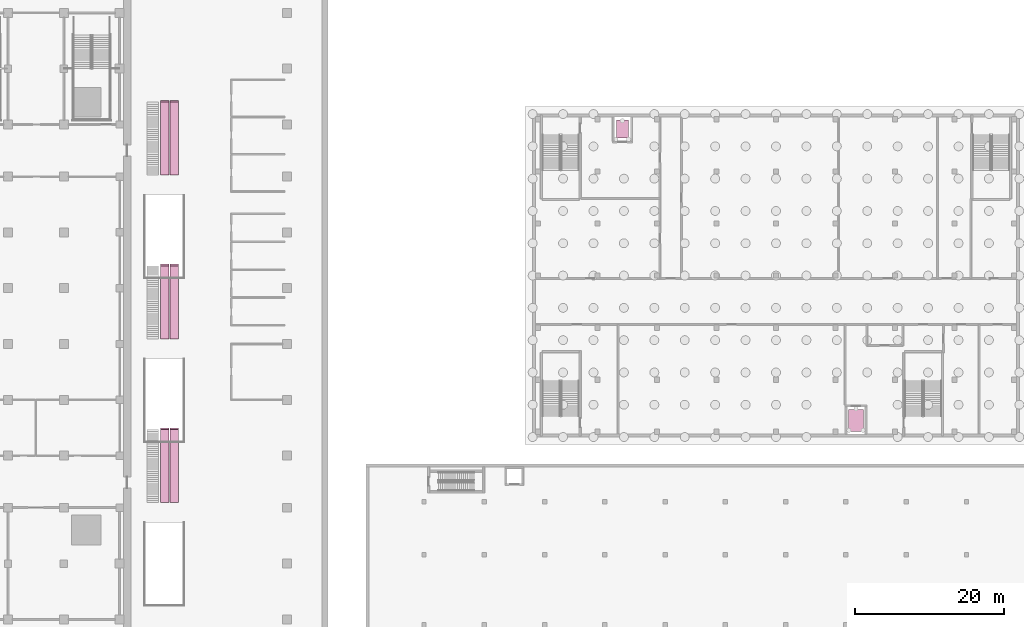
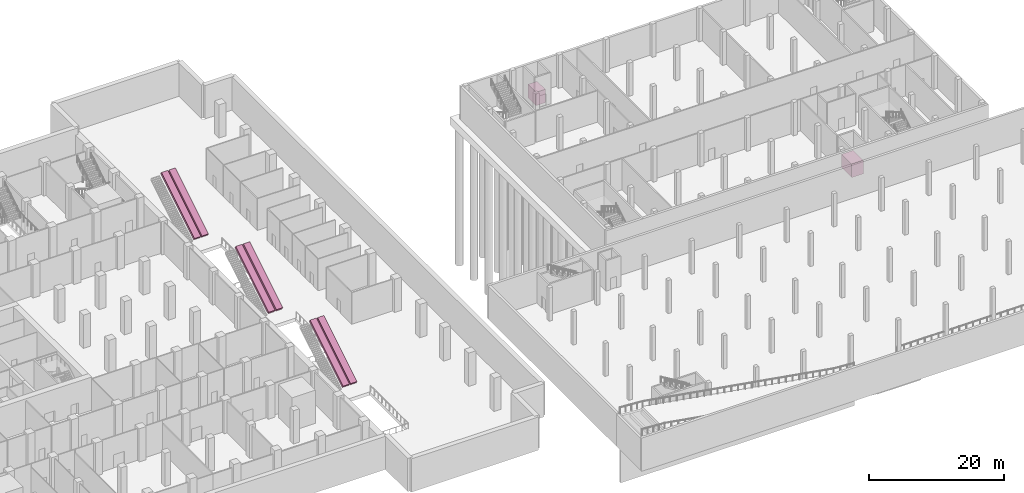
# One storey, part 45 of 45: 8 transport elements.
"""IFC4 building model written with IfcOpenShell, lengths in metres."""

from ifc_helpers import new_model, si_unit, direction, frame, origin, origin_2d, place, context, subcontext, project, spatial, polyline, rectangle, outline, extrude, material, type_object, element, save


model = new_model("IFC4")

# Units and contexts
model_context = context("Model", 3, precision=1e-05, world=origin(), true_north=direction((0.0, 1.0)))
body_context = subcontext(model_context, "Body", "Model", "MODEL_VIEW")
ifc_project = project(units=[si_unit("LENGTHUNIT", "METRE"), si_unit("AREAUNIT", "SQUARE_METRE"), si_unit("VOLUMEUNIT", "CUBIC_METRE"), si_unit("PLANEANGLEUNIT", "RADIAN"), si_unit("MASSUNIT", "GRAM", prefix="KILO")], contexts=[model_context])

# Site, building, storey
site_placement = place(None, origin())
site = spatial("IfcSite", under=ifc_project, at=site_placement, CompositionType="ELEMENT")
building_placement = place(site_placement, origin())
building = spatial("IfcBuilding", under=site, at=building_placement, Name="Tamorin Gate", CompositionType="ELEMENT")
storey_placement = place(building_placement, frame((0.0, 0.0, -6.0)))
storey = spatial("IfcBuildingStorey", under=building, at=storey_placement, Name="B1", CompositionType="ELEMENT", Elevation=-6.0)

# Transport elements
ifc_material_1 = material(Name="Steel", Category="steel")
transport_element_type_1 = type_object("IfcTransportElementType", Name="Escalator 1000", PredefinedType="ESCALATOR", material=ifc_material_1)
transport_element_1_placement = place(storey_placement, frame((95.0, 46.199951171875, 0.449951171875), z_axis=(0.0, -0.522151967348, 0.852852462619), x_axis=(1.0, 0.0, 0.0)))
element("IfcTransportElement", 1, at=transport_element_1_placement, inside=storey, type_object=transport_element_type_1, Name="Escalator A11", PredefinedType="ESCALATOR", context=body_context, shape_type="SweptSolid", body=[
    extrude(outline(polyline([(0.0, 0.0), (1.10009765625, 0.0), (1.10009765625, 11.490907580936948), (0.0, 11.490907580936948), (0.0, 0.0)])), origin(), (0.0, 0.0, -1.0), 0.449951171875),
])
transport_element_2_placement = place(storey_placement, frame((96.300048828125, 46.199951171875, 0.449951171875), z_axis=(0.0, -0.522151967348, 0.852852462619), x_axis=(1.0, 0.0, 0.0)))
element("IfcTransportElement", 2, at=transport_element_2_placement, inside=storey, type_object=transport_element_type_1, Name="Escalator A12", PredefinedType="ESCALATOR", context=body_context, shape_type="SweptSolid", body=[
    extrude(outline(polyline([(0.0, 0.0), (1.099853515625, 0.0), (1.099853515625, 11.490907580936945), (0.0, 11.490907580936945), (0.0, 0.0)])), origin(), (0.0, 0.0, -1.0), 0.449951171875),
])
transport_element_3_placement = place(storey_placement, frame((95.0, 68.199951171875, 0.449951171875), z_axis=(0.0, -0.522151967348, 0.852852462619), x_axis=(1.0, 0.0, 0.0)))
element("IfcTransportElement", 3, at=transport_element_3_placement, inside=storey, type_object=transport_element_type_1, Name="Escalator A21", PredefinedType="ESCALATOR", context=body_context, shape_type="SweptSolid", body=[
    extrude(outline(polyline([(0.0, 0.0), (1.10009765625, 0.0), (1.10009765625, 11.490907580936948), (0.0, 11.490907580936948), (0.0, 0.0)])), origin(), (0.0, 0.0, -1.0), 0.449951171875),
])
transport_element_4_placement = place(storey_placement, frame((96.300048828125, 68.199951171875, 0.449951171875), z_axis=(0.0, -0.522151967348, 0.852852462619), x_axis=(1.0, 0.0, 0.0)))
element("IfcTransportElement", 4, at=transport_element_4_placement, inside=storey, type_object=transport_element_type_1, Name="Escalator A22", PredefinedType="ESCALATOR", context=body_context, shape_type="SweptSolid", body=[
    extrude(outline(polyline([(0.0, 0.0), (1.099853515625, 0.0), (1.099853515625, 11.490907580936945), (0.0, 11.490907580936945), (0.0, 0.0)])), origin(), (0.0, 0.0, -1.0), 0.449951171875),
])
transport_element_5_placement = place(storey_placement, frame((95.0, 90.199951171875, 0.449951171875), z_axis=(0.0, -0.522151967348, 0.852852462619), x_axis=(1.0, 0.0, 0.0)))
element("IfcTransportElement", 5, at=transport_element_5_placement, inside=storey, type_object=transport_element_type_1, Name="Escalator A31", PredefinedType="ESCALATOR", context=body_context, shape_type="SweptSolid", body=[
    extrude(outline(polyline([(0.0, 0.0), (1.10009765625, 0.0), (1.10009765625, 11.490907580936948), (0.0, 11.490907580936948), (0.0, 0.0)])), origin(), (0.0, 0.0, -1.0), 0.449951171875),
])
transport_element_6_placement = place(storey_placement, frame((96.300048828125, 90.199951171875, 0.449951171875), z_axis=(0.0, -0.522151967348, 0.852852462619), x_axis=(1.0, 0.0, 0.0)))
element("IfcTransportElement", 6, at=transport_element_6_placement, inside=storey, type_object=transport_element_type_1, Name="Escalator A32", PredefinedType="ESCALATOR", context=body_context, shape_type="SweptSolid", body=[
    extrude(outline(polyline([(0.0, 0.0), (1.099853515625, 0.0), (1.099853515625, 11.490907580936945), (0.0, 11.490907580936945), (0.0, 0.0)])), origin(), (0.0, 0.0, -1.0), 0.449951171875),
])
ifc_material_2 = material(Name="Stainless steel", Category="steel")
transport_element_type_2 = type_object("IfcTransportElementType", Name="Museum lift 1600x2400 1600 kg", PredefinedType="ELEVATOR", material=ifc_material_2)
transport_element_7_placement = place(storey_placement, frame((157.050048828125, 96.375, 0.0), z_axis=(0.0, 0.0, 1.0), x_axis=(1.0, 0.0, 0.0)))
element("IfcTransportElement", 7, at=transport_element_7_placement, inside=storey, type_object=transport_element_type_2, Name="Lift LM1", PredefinedType="ELEVATOR", context=body_context, shape_type="SweptSolid", body=[
    extrude(rectangle(XDim=1.60009765625, YDim=2.39990234375, at=origin_2d()), origin(), (0.0, 0.0, 1.0), 2.39990234375),
])
transport_element_type_3 = type_object("IfcTransportElementType", Name="Museum lift 2000x3000 3000 kg", PredefinedType="ELEVATOR", material=ifc_material_2)
transport_element_8_placement = place(storey_placement, frame((188.449951171875, 57.22509765625, 0.0), z_axis=(0.0, 0.0, 1.0), x_axis=(1.0, 0.0, 0.0)))
element("IfcTransportElement", 8, at=transport_element_8_placement, inside=storey, type_object=transport_element_type_3, Name="Lift LM2", PredefinedType="ELEVATOR", context=body_context, shape_type="SweptSolid", body=[
    extrude(rectangle(XDim=2.0, YDim=3.0, at=origin_2d()), origin(), (0.0, 0.0, 1.0), 2.39990234375),
])

save(model, "model.ifc")
